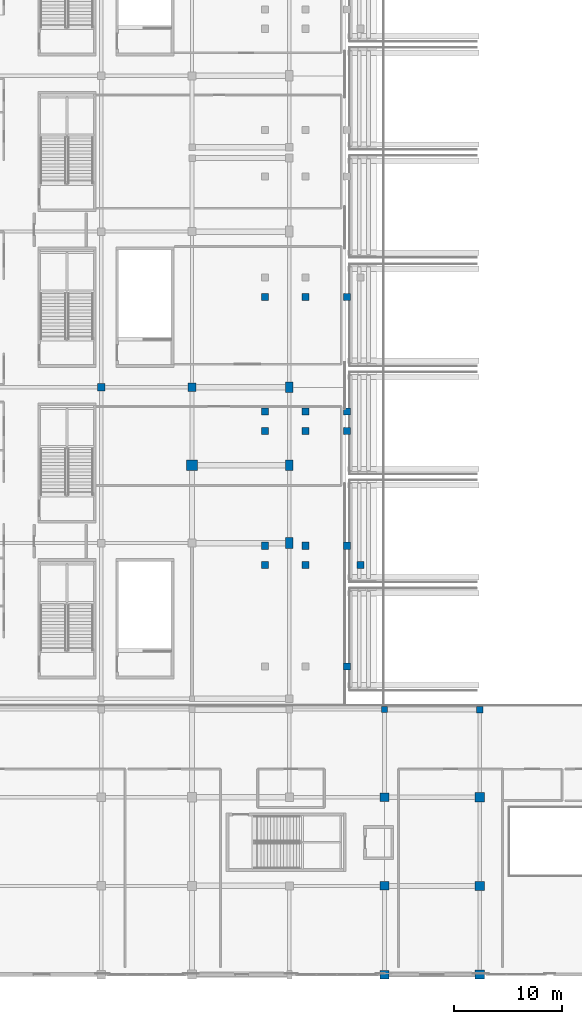
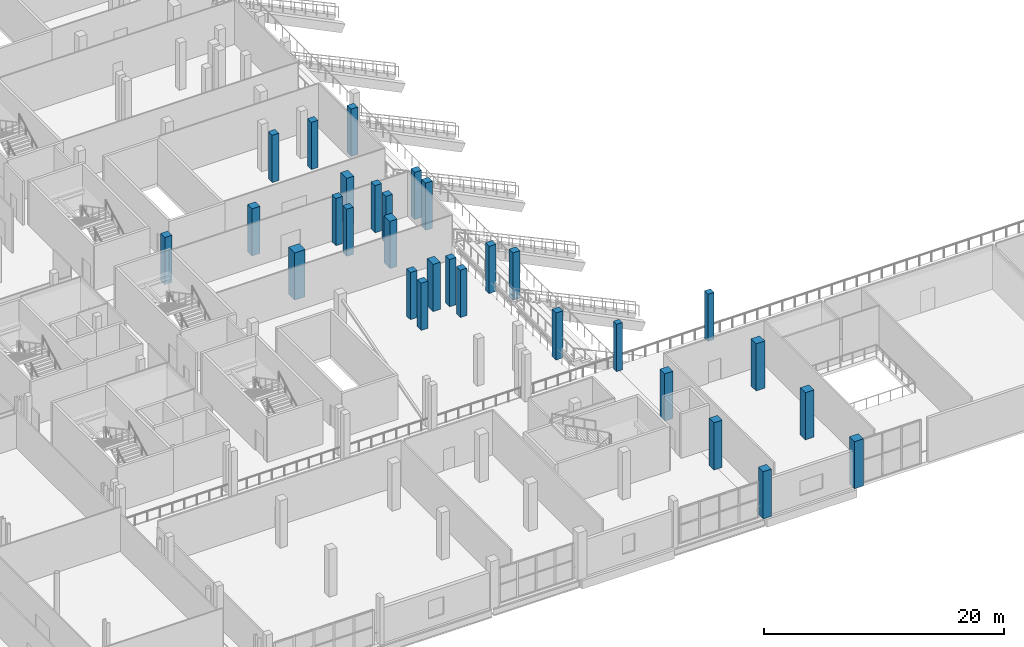
# One storey, part 4 of 129: 30 columns.
"""IFC4 building model written with IfcOpenShell, lengths in metres."""

from ifc_helpers import new_model, si_unit, direction, frame, origin, origin_2d, place, context, subcontext, project, spatial, rectangle, extrude, material, material_profile, profile_set, type_object, element, save


model = new_model("IFC4")

# Units and contexts
model_context = context("Model", 3, precision=1e-05, world=origin(), true_north=direction((0.0, 1.0)))
body_context = subcontext(model_context, "Body", "Model", "MODEL_VIEW")
ifc_project = project(units=[si_unit("LENGTHUNIT", "METRE"), si_unit("AREAUNIT", "SQUARE_METRE"), si_unit("VOLUMEUNIT", "CUBIC_METRE"), si_unit("PLANEANGLEUNIT", "RADIAN"), si_unit("MASSUNIT", "GRAM", prefix="KILO")], contexts=[model_context])

# Site, building, storey
site_placement = place(None, origin())
site = spatial("IfcSite", under=ifc_project, at=site_placement, CompositionType="ELEMENT")
building_placement = place(site_placement, origin())
building = spatial("IfcBuilding", under=site, at=building_placement, Name="Koshinbarg Plaza Stadium", CompositionType="ELEMENT")
storey_placement = place(building_placement, frame((0.0, 0.0, 5.39990234375)))
storey = spatial("IfcBuildingStorey", under=building, at=storey_placement, Name="L01", CompositionType="ELEMENT", Elevation=5.39990234375)

# Columns
ifc_material = material(Name="Concrete C40/50", Category="concrete")
ifc_material_profile_1 = material_profile(ifc_material, rectangle(XDim=0.550048828125, YDim=0.550048828125, at=origin_2d()), Name="RC 550x550")
ifc_profile_set_1 = profile_set([ifc_material_profile_1], Name="Concrete C40/50")
column_type_1 = type_object("IfcColumnType", Name="COL-RC-03", PredefinedType="COLUMN", material=ifc_profile_set_1)
column_1_placement = place(storey_placement, frame((72.39990234375, 24.5, 0.0), z_axis=(0.0, 0.0, 1.0), x_axis=(1.0, 0.0, 0.0)))
element("IfcColumn", 1, at=column_1_placement, inside=storey, type_object=column_type_1, Name="L01 column 10/D", PredefinedType="COLUMN", context=body_context, shape_type="SweptSolid", body=[
    extrude(rectangle(XDim=0.550048828125, YDim=0.550048828125, at=origin_2d()), origin(), (0.0, 0.0, 1.0), 4.800048828125),
])
ifc_material_profile_2 = material_profile(ifc_material, rectangle(XDim=0.60009765625, YDim=0.60009765625, at=origin_2d()), Name="RC 600x600")
ifc_profile_set_2 = profile_set([ifc_material_profile_2], Name="Concrete C40/50")
column_type_2 = type_object("IfcColumnType", Name="COL-RC-04", PredefinedType="COLUMN", material=ifc_profile_set_2)
column_2_placement = place(storey_placement, frame((81.199951171875, 24.5, 0.0), z_axis=(0.0, 0.0, 1.0), x_axis=(1.0, 0.0, 0.0)))
element("IfcColumn", 2, at=column_2_placement, inside=storey, type_object=column_type_2, Name="L01 column 11/D", PredefinedType="COLUMN", context=body_context, shape_type="SweptSolid", body=[
    extrude(rectangle(XDim=0.60009765625, YDim=0.60009765625, at=origin_2d()), origin(), (0.0, 0.0, 1.0), 4.800048828125),
])
ifc_material_profile_3 = material_profile(ifc_material, rectangle(XDim=0.64990234375, YDim=0.64990234375, at=origin_2d()), Name="RC 650x650")
ifc_profile_set_3 = profile_set([ifc_material_profile_3], Name="Concrete C40/50")
column_type_3 = type_object("IfcColumnType", Name="COL-RC-05", PredefinedType="COLUMN", material=ifc_profile_set_3)
for number, where, z_axis, x_axis, name in (
    (3, (68.919921875, 28.5, 0.0), (0.0, 0.0, 1.0), (1.0, 0.0, 0.0), "L01 bowl raker column UT-W01-L-CF"),
    (4, (70.169921875, 37.85009765625, 0.0), (0.0, 0.0, 1.0), (1.0, 0.0, 0.0), "L01 bowl raker column UT-W01-R-CF"),
    (5, (65.10009765625, 37.85009765625, 0.0), (0.0, 0.0, 1.0), (1.0, 0.0, 0.0), "L01 bowl raker column UT-W01-R-CM"),
    (6, (61.340087890625, 37.85009765625, 0.0), (0.0, 0.0, 1.0), (1.0, 0.0, 0.0), "L01 bowl raker column UT-W01-R-CB"),
    (7, (68.919921875, 39.64990234375, 0.0), (0.0, 0.0, 1.0), (1.0, 0.0, 0.0), "L01 bowl raker column UT-W02-L-CF"),
    (8, (65.10009765625, 39.64990234375, 0.0), (0.0, 0.0, 1.0), (1.0, 0.0, 0.0), "L01 bowl raker column UT-W02-L-CM"),
    (9, (61.340087890625, 39.64990234375, 0.0), (0.0, 0.0, 1.0), (1.0, 0.0, 0.0), "L01 bowl raker column UT-W02-L-CB"),
    (10, (68.919921875, 50.25, 0.0), (0.0, 0.0, 1.0), (1.0, 0.0, 0.0), "L01 bowl raker column UT-W02-R-CF"),
    (11, (65.10009765625, 50.25, 0.0), (0.0, 0.0, 1.0), (1.0, 0.0, 0.0), "L01 bowl raker column UT-W02-R-CM"),
    (12, (61.340087890625, 50.25, 0.0), (0.0, 0.0, 1.0), (1.0, 0.0, 0.0), "L01 bowl raker column UT-W02-R-CB"),
    (13, (68.919921875, 52.050048828125, 0.0), (0.0, 0.0, 1.0), (1.0, 0.0, 0.0), "L01 bowl raker column UT-W03-L-CF"),
    (14, (65.10009765625, 52.050048828125, 0.0), (0.0, 0.0, 1.0), (1.0, 0.0, 0.0), "L01 bowl raker column UT-W03-L-CM"),
    (15, (61.340087890625, 52.050048828125, 0.0), (0.0, 0.0, 1.0), (1.0, 0.0, 0.0), "L01 bowl raker column UT-W03-L-CB"),
    (16, (68.919921875, 62.64990234375, 0.0), (0.0, 0.0, 1.0), (1.0, 0.0, 0.0), "L01 bowl raker column UT-W03-R-CF"),
    (17, (65.10009765625, 62.64990234375, 0.0), (0.0, 0.0, 1.0), (1.0, 0.0, 0.0), "L01 bowl raker column UT-W03-R-CM"),
    (18, (61.340087890625, 62.64990234375, 0.0), (0.0, 0.0, 1.0), (1.0, 0.0, 0.0), "L01 bowl raker column UT-W03-R-CB"),
):
    element("IfcColumn", number, at=place(storey_placement, frame(where, z_axis=z_axis, x_axis=x_axis)), inside=storey, type_object=column_type_3, Name=name, PredefinedType="COLUMN", context=body_context, shape_type="SweptSolid", body=[
        extrude(rectangle(XDim=0.64990234375, YDim=0.64990234375, at=origin_2d()), origin(), (0.0, 0.0, 1.0), 4.800048828125),
    ])
ifc_material_profile_4 = material_profile(ifc_material, rectangle(XDim=0.699951171875, YDim=0.699951171875, at=origin_2d()), Name="RC 700x700")
ifc_profile_set_4 = profile_set([ifc_material_profile_4], Name="Concrete C40/50")
column_type_4 = type_object("IfcColumnType", Name="COL-RC-06", PredefinedType="COLUMN", material=ifc_profile_set_4)
column_3_placement = place(storey_placement, frame((46.199951171875, 54.300048828125, 0.0), z_axis=(0.0, 0.0, 1.0), x_axis=(1.0, 0.0, 0.0)))
element("IfcColumn", 19, at=column_3_placement, inside=storey, type_object=column_type_4, Name="L01 column 7/H", PredefinedType="COLUMN", context=body_context, shape_type="SweptSolid", body=[
    extrude(rectangle(XDim=0.699951171875, YDim=0.699951171875, at=origin_2d()), origin(), (0.0, 0.0, 1.0), 4.800048828125),
])
ifc_material_profile_5 = material_profile(ifc_material, rectangle(XDim=0.75, YDim=0.75, at=origin_2d()), Name="RC 750x750")
ifc_profile_set_5 = profile_set([ifc_material_profile_5], Name="Concrete C40/50")
column_type_5 = type_object("IfcColumnType", Name="COL-RC-07", PredefinedType="COLUMN", material=ifc_profile_set_5)
column_4_placement = place(storey_placement, frame((54.60009765625, 54.300048828125, 0.0), z_axis=(0.0, 0.0, 1.0), x_axis=(1.0, 0.0, 0.0)))
element("IfcColumn", 20, at=column_4_placement, inside=storey, type_object=column_type_5, Name="L01 column 8/H", PredefinedType="COLUMN", context=body_context, shape_type="SweptSolid", body=[
    extrude(rectangle(XDim=0.75, YDim=0.75, at=origin_2d()), origin(), (0.0, 0.0, 1.0), 4.800048828125),
])
ifc_material_profile_6 = material_profile(ifc_material, rectangle(XDim=0.800048828125, YDim=0.800048828125, at=origin_2d()), Name="RC 800x800")
ifc_profile_set_6 = profile_set([ifc_material_profile_6], Name="Concrete C40/50")
column_type_6 = type_object("IfcColumnType", Name="COL-RC-08", PredefinedType="COLUMN", material=ifc_profile_set_6)
for number, where, z_axis, x_axis, name in (
    (21, (72.39990234375, 0.0, 0.0), (0.0, 0.0, 1.0), (1.0, 0.0, 0.0), "L01 column 10/A"),
    (22, (72.39990234375, 8.199951171875, 0.0), (0.0, 0.0, 1.0), (1.0, 0.0, 0.0), "L01 column 10/B"),
    (23, (72.39990234375, 16.39990234375, 0.0), (0.0, 0.0, 1.0), (1.0, 0.0, 0.0), "L01 column 10/C"),
):
    element("IfcColumn", number, at=place(storey_placement, frame(where, z_axis=z_axis, x_axis=x_axis)), inside=storey, type_object=column_type_6, Name=name, PredefinedType="COLUMN", context=body_context, shape_type="SweptSolid", body=[
        extrude(rectangle(XDim=0.800048828125, YDim=0.800048828125, at=origin_2d()), origin(), (0.0, 0.0, 1.0), 4.800048828125),
    ])
ifc_material_profile_7 = material_profile(ifc_material, rectangle(XDim=0.85009765625, YDim=0.85009765625, at=origin_2d()), Name="RC 850x850")
ifc_profile_set_7 = profile_set([ifc_material_profile_7], Name="Concrete C40/50")
column_type_7 = type_object("IfcColumnType", Name="COL-RC-09", PredefinedType="COLUMN", material=ifc_profile_set_7)
for number, where, z_axis, x_axis, name in (
    (24, (81.199951171875, 0.0, 0.0), (0.0, 0.0, 1.0), (1.0, 0.0, 0.0), "L01 column 11/A"),
    (25, (81.199951171875, 8.199951171875, 0.0), (0.0, 0.0, 1.0), (1.0, 0.0, 0.0), "L01 column 11/B"),
    (26, (81.199951171875, 16.39990234375, 0.0), (0.0, 0.0, 1.0), (1.0, 0.0, 0.0), "L01 column 11/C"),
):
    element("IfcColumn", number, at=place(storey_placement, frame(where, z_axis=z_axis, x_axis=x_axis)), inside=storey, type_object=column_type_7, Name=name, PredefinedType="COLUMN", context=body_context, shape_type="SweptSolid", body=[
        extrude(rectangle(XDim=0.85009765625, YDim=0.85009765625, at=origin_2d()), origin(), (0.0, 0.0, 1.0), 4.800048828125),
    ])
ifc_material_profile_8 = material_profile(ifc_material, rectangle(XDim=1.0, YDim=1.0, at=origin_2d()), Name="RC 1000x1000")
ifc_profile_set_8 = profile_set([ifc_material_profile_8], Name="Concrete C40/50")
column_type_8 = type_object("IfcColumnType", Name="COL-RC-11", PredefinedType="COLUMN", material=ifc_profile_set_8)
column_5_placement = place(storey_placement, frame((54.60009765625, 47.10009765625, 0.0), z_axis=(0.0, 0.0, 1.0), x_axis=(1.0, 0.0, 0.0)))
element("IfcColumn", 27, at=column_5_placement, inside=storey, type_object=column_type_8, Name="L01 column 8/G", PredefinedType="COLUMN", context=body_context, shape_type="SweptSolid", body=[
    extrude(rectangle(XDim=1.0, YDim=1.0, at=origin_2d()), origin(), (0.0, 0.0, 1.0), 4.800048828125),
])
ifc_material_profile_9 = material_profile(ifc_material, rectangle(XDim=0.699951171875, YDim=1.0, at=origin_2d()), Name="RC 700x1000")
ifc_profile_set_9 = profile_set([ifc_material_profile_9], Name="Concrete C40/50")
column_type_9 = type_object("IfcColumnType", Name="COL-RC-13", PredefinedType="COLUMN", material=ifc_profile_set_9)
for number, where, z_axis, x_axis, name in (
    (28, (63.60009765625, 39.89990234375, 0.0), (0.0, 0.0, 1.0), (1.0, 0.0, 0.0), "L01 column 9/F"),
    (29, (63.60009765625, 47.10009765625, 0.0), (0.0, 0.0, 1.0), (1.0, 0.0, 0.0), "L01 column 9/G"),
    (30, (63.60009765625, 54.300048828125, 0.0), (0.0, 0.0, 1.0), (1.0, 0.0, 0.0), "L01 column 9/H"),
):
    element("IfcColumn", number, at=place(storey_placement, frame(where, z_axis=z_axis, x_axis=x_axis)), inside=storey, type_object=column_type_9, Name=name, PredefinedType="COLUMN", context=body_context, shape_type="SweptSolid", body=[
        extrude(rectangle(XDim=0.699951171875, YDim=1.0, at=origin_2d()), origin(), (0.0, 0.0, 1.0), 4.800048828125),
    ])

save(model, "model.ifc")
